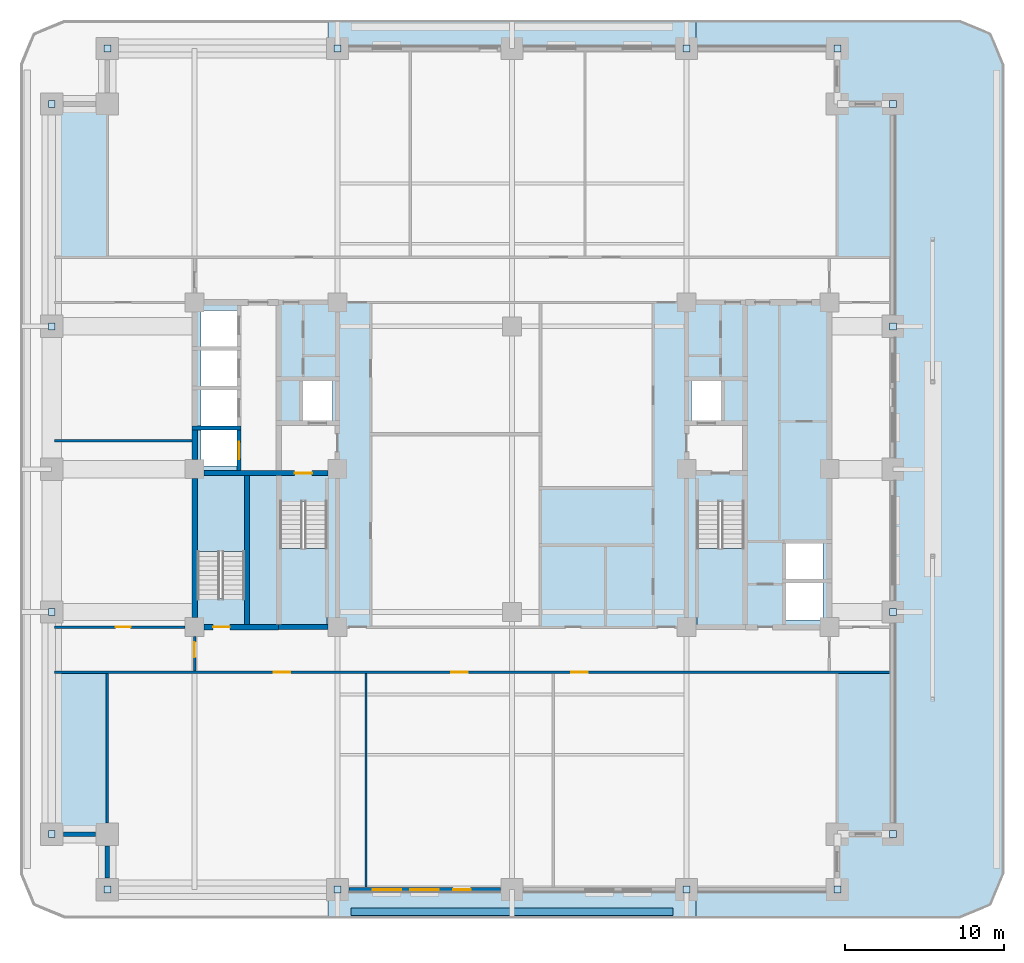
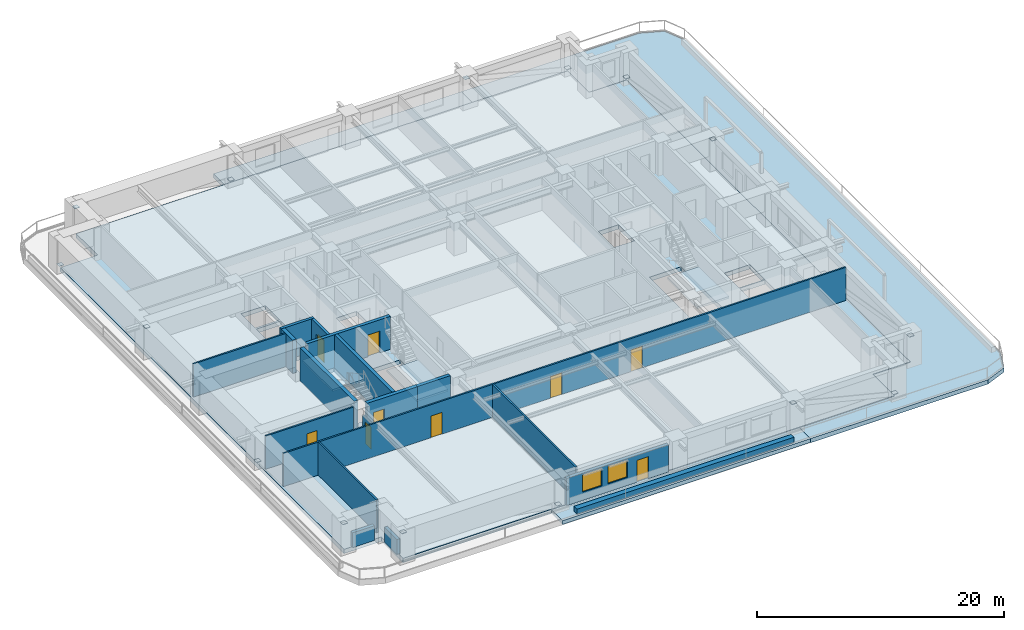
# One storey, part 5 of 18: 18 walls, 16 plates, 9 doors, 7 slabs, 2 windows, 11 openings, 3 elements without a shape of their own.
"""IFC4 building model written with IfcOpenShell, lengths in metres."""

from ifc_helpers import new_model, si_unit, direction, frame, frame_2d, origin, origin_2d, place, context, subcontext, project, spatial, polyline, rectangle, outline, extrude, material, layer, layer_set, type_object, element, fill, aggregate, save


model = new_model("IFC4")

# Units and contexts
model_context = context("Model", 3, precision=1e-05, world=origin(), true_north=direction((0.0, 1.0)))
body_context = subcontext(model_context, "Body", "Model", "MODEL_VIEW")
ifc_project = project(units=[si_unit("LENGTHUNIT", "METRE"), si_unit("AREAUNIT", "SQUARE_METRE"), si_unit("VOLUMEUNIT", "CUBIC_METRE"), si_unit("PLANEANGLEUNIT", "RADIAN"), si_unit("MASSUNIT", "GRAM", prefix="KILO")], contexts=[model_context])

# Site, building, storey
site_placement = place(None, origin())
site = spatial("IfcSite", under=ifc_project, at=site_placement, CompositionType="ELEMENT")
building_placement = place(site_placement, origin())
building = spatial("IfcBuilding", under=site, at=building_placement, Name="Zulmaris Gate Convention Tower", CompositionType="ELEMENT")
storey_placement = place(building_placement, frame((0.0, 0.0, 57.18994140625)))
storey = spatial("IfcBuildingStorey", under=building, at=storey_placement, Name="L13", CompositionType="ELEMENT", Elevation=57.18994140625)

# Plates
ifc_material_1 = material(Name="Steel S460", Category="steel")
ifc_layer_1 = layer(ifc_material_1, 0.02490234375, Name="Steel S460")
ifc_layer_set_1 = layer_set([ifc_layer_1], Name="Steel S460")
plate_type = type_object("IfcPlateType", Name="NP-CAP-440", PredefinedType="USERDEFINED", material=ifc_layer_set_1)
for number, where, z_axis, x_axis, name in (
    (1, (-29.0, -9.0, 0.28759765625), (0.0, 0.0, 1.0), (1.0, 0.0, 0.0), "L13 Steel Node Plate PBR-L13-SW-W-CAP"),
    (2, (-29.0, -23.0, 2.6376953125), (0.0, 0.0, 1.0), (1.0, 0.0, 0.0), "L13 Steel Node Plate PBR-L13-SW-W-CAPB"),
    (3, (-29.0, 23.0, 0.28759765625), (0.0, 0.0, 1.0), (1.0, 0.0, 0.0), "L13 Steel Node Plate PBR-L13-NW-W-CAP"),
    (4, (-29.0, 9.0, 2.6376953125), (0.0, 0.0, 1.0), (1.0, 0.0, 0.0), "L13 Steel Node Plate PBR-L13-NW-W-CAPB"),
    (5, (24.0, -9.0, 0.28759765625), (0.0, 0.0, 1.0), (1.0, 0.0, 0.0), "L13 Steel Node Plate PBR-L13-SE-E-CAP"),
    (6, (24.0, -23.0, 2.6376953125), (0.0, 0.0, 1.0), (1.0, 0.0, 0.0), "L13 Steel Node Plate PBR-L13-SE-E-CAPB"),
    (7, (24.0, 23.0, 0.28759765625), (0.0, 0.0, 1.0), (1.0, 0.0, 0.0), "L13 Steel Node Plate PBR-L13-NE-E-CAP"),
    (8, (24.0, 9.0, 2.6376953125), (0.0, 0.0, 1.0), (1.0, 0.0, 0.0), "L13 Steel Node Plate PBR-L13-NE-E-CAPB"),
    (9, (-11.0, -26.5, 0.28759765625), (0.0, 0.0, 1.0), (1.0, 0.0, 0.0), "L13 Steel Node Plate PBR-L13-SW-S-CAP"),
    (10, (-25.5, -26.5, 2.6376953125), (0.0, 0.0, 1.0), (1.0, 0.0, 0.0), "L13 Steel Node Plate PBR-L13-SW-S-CAPB"),
    (11, (20.5, -26.5, 0.28759765625), (0.0, 0.0, 1.0), (1.0, 0.0, 0.0), "L13 Steel Node Plate PBR-L13-SE-S-CAP"),
    (12, (11.0, -26.5, 2.6376953125), (0.0, 0.0, 1.0), (1.0, 0.0, 0.0), "L13 Steel Node Plate PBR-L13-SE-S-CAPB"),
    (13, (-11.0, 26.5, 0.28759765625), (0.0, 0.0, 1.0), (1.0, 0.0, 0.0), "L13 Steel Node Plate PBR-L13-NW-N-CAP"),
    (14, (-25.5, 26.5, 2.6376953125), (0.0, 0.0, 1.0), (1.0, 0.0, 0.0), "L13 Steel Node Plate PBR-L13-NW-N-CAPB"),
    (15, (20.5, 26.5, 0.28759765625), (0.0, 0.0, 1.0), (1.0, 0.0, 0.0), "L13 Steel Node Plate PBR-L13-NE-N-CAP"),
    (16, (11.0, 26.5, 2.6376953125), (0.0, 0.0, 1.0), (1.0, 0.0, 0.0), "L13 Steel Node Plate PBR-L13-NE-N-CAPB"),
):
    element("IfcPlate", number, at=place(storey_placement, frame(where, z_axis=z_axis, x_axis=x_axis)), inside=storey, type_object=plate_type, Name=name, ObjectType="FLANGE PLATE", PredefinedType="USERDEFINED", context=body_context, shape_type="SweptSolid", body=[
        extrude(rectangle(XDim=0.43994140625, YDim=0.43994140625, at=origin_2d()), origin(), (0.0, 0.0, 1.0), 0.02490234375),
    ])

# Slab
ifc_material_2 = material(Name="Concrete C60/75", Category="concrete")
ifc_layer_2 = layer(ifc_material_2, 0.425048828125, Name="Concrete C60/75")
ifc_layer_set_2 = layer_set([ifc_layer_2], Name="Concrete C60/75")
slab_type_1 = type_object("IfcSlabType", Name="SL-FLR-425", PredefinedType="FLOOR", material=ifc_layer_set_2)
slab_1_placement = place(storey_placement, frame((0.0, 0.0, -0.425048828125)))
element("IfcSlab", 17, at=slab_1_placement, inside=storey, type_object=slab_type_1, Name="L13 Shifted Notched-Square Structural Floor Slab", PredefinedType="FLOOR", context=body_context, shape_type="SweptSolid", body=[
    extrude(outline(polyline([(-25.5, -26.5), (20.5, -26.5), (20.5, -23.0), (24.0, -23.0), (24.0, 23.0), (20.5, 23.0), (20.5, 26.5), (-25.5, 26.5), (-25.5, 23.0), (-29.0, 23.0), (-29.0, -23.0), (-25.5, -23.0), (-25.5, -26.5)]), holes=[polyline([(-14.6201171875, -2.080078125), (-14.6201171875, -9.85009765625), (-11.659912109375, -9.85009765625), (-11.659912109375, -2.080078125), (-14.6201171875, -2.080078125)]), polyline([(11.659912109375, -2.080078125), (11.659912109375, -9.85009765625), (14.6201171875, -9.85009765625), (14.6201171875, -2.080078125), (11.659912109375, -2.080078125)]), polyline([(-16.860107421875, -8.1201171875), (-16.860107421875, -0.35009765625), (-19.820068359375, -0.35009765625), (-19.820068359375, -8.1201171875), (-16.860107421875, -8.1201171875)]), polyline([(-13.199951171875, 3.0), (-11.300048828125, 3.0), (-11.300048828125, 5.60009765625), (-13.199951171875, 5.60009765625), (-13.199951171875, 3.0)]), polyline([(11.300048828125, 3.0), (13.199951171875, 3.0), (13.199951171875, 5.60009765625), (11.300048828125, 5.60009765625), (11.300048828125, 3.0)]), polyline([(-19.60009765625, 0.199951171875), (-17.300048828125, 0.199951171875), (-17.300048828125, 2.5), (-19.60009765625, 2.5), (-19.60009765625, 0.199951171875)]), polyline([(-19.60009765625, 2.699951171875), (-17.300048828125, 2.699951171875), (-17.300048828125, 5.0), (-19.60009765625, 5.0), (-19.60009765625, 2.699951171875)]), polyline([(-19.60009765625, 5.199951171875), (-17.300048828125, 5.199951171875), (-17.300048828125, 7.5), (-19.60009765625, 7.5), (-19.60009765625, 5.199951171875)]), polyline([(-19.60009765625, 7.699951171875), (-17.300048828125, 7.699951171875), (-17.300048828125, 10.0), (-19.60009765625, 10.0), (-19.60009765625, 7.699951171875)]), polyline([(17.199951171875, -9.5), (19.60009765625, -9.5), (19.60009765625, -7.10009765625), (17.199951171875, -7.10009765625), (17.199951171875, -9.5)]), polyline([(17.199951171875, -7.0), (19.60009765625, -7.0), (19.60009765625, -4.60009765625), (17.199951171875, -4.60009765625), (17.199951171875, -7.0)])]), origin(), (0.0, 0.0, 1.0), 0.425048828125),
])

# Stair, slab
ifc_material_3 = material(Name="Concrete C45/55", Category="concrete")
stair_type = type_object("IfcStairType", Name="ST-CORE-DOGLEG", PredefinedType="HALF_TURN_STAIR", material=ifc_material_3)
stair_1_placement = place(storey_placement, origin())
stair_1 = element("IfcStair", 18, at=stair_1_placement, inside=storey, type_object=stair_type, Name="L13 Core Exit Stair ST-1", PredefinedType="HALF_TURN_STAIR")
ifc_layer_3 = layer(ifc_material_3, 0.199951171875, Name="Concrete C45/55")
ifc_layer_set_3 = layer_set([ifc_layer_3], Name="Concrete C45/55")
slab_type_2 = type_object("IfcSlabType", Name="SL-LND-200", PredefinedType="LANDING", material=ifc_layer_set_3)
slab_2_placement = place(storey_placement, frame((0.0, 0.0, 1.5849609375)))
slab_2 = element("IfcSlab", 19, at=slab_2_placement, type_object=slab_type_2, Name="ST-1 landing 1", PredefinedType="LANDING", context=body_context, shape_type="SweptSolid", body=[
    extrude(outline(polyline([(-14.6201171875, -5.0), (-14.6201171875, -9.85009765625), (-11.659912109375, -9.85009765625), (-11.659912109375, -5.0), (-14.6201171875, -5.0)])), origin(), (0.0, 0.0, 1.0), 0.199951171875),
])
aggregate(stair_1, [slab_2])

stair_2_placement = place(storey_placement, origin())
stair_2 = element("IfcStair", 20, at=stair_2_placement, inside=storey, type_object=stair_type, Name="L13 Core Exit Stair ST-2", PredefinedType="HALF_TURN_STAIR")
slab_3_placement = place(storey_placement, frame((0.0, 0.0, 1.5849609375)))
slab_3 = element("IfcSlab", 21, at=slab_3_placement, type_object=slab_type_2, Name="ST-2 landing 1", PredefinedType="LANDING", context=body_context, shape_type="SweptSolid", body=[
    extrude(outline(polyline([(11.659912109375, -5.0), (11.659912109375, -9.85009765625), (14.6201171875, -9.85009765625), (14.6201171875, -5.0), (11.659912109375, -5.0)])), origin(), (0.0, 0.0, 1.0), 0.199951171875),
])
aggregate(stair_2, [slab_3])

stair_3_placement = place(storey_placement, origin())
stair_3 = element("IfcStair", 22, at=stair_3_placement, inside=storey, type_object=stair_type, Name="L13 Core Exit Stair ST-3", PredefinedType="HALF_TURN_STAIR")
slab_4_placement = place(storey_placement, frame((0.0, 0.0, 1.5849609375)))
slab_4 = element("IfcSlab", 23, at=slab_4_placement, type_object=slab_type_2, Name="ST-3 landing 1", PredefinedType="LANDING", context=body_context, shape_type="SweptSolid", body=[
    extrude(outline(polyline([(-16.860107421875, -5.199951171875), (-16.860107421875, -0.35009765625), (-19.820068359375, -0.35009765625), (-19.820068359375, -5.199951171875), (-16.860107421875, -5.199951171875)])), origin(), (0.0, 0.0, 1.0), 0.199951171875),
])
aggregate(stair_3, [slab_4])

# Slabs
ifc_material_4 = material(Name="Concrete C50/60", Category="concrete")
ifc_layer_4 = layer(ifc_material_4, 0.300048828125, Name="Concrete C50/60")
ifc_layer_set_4 = layer_set([ifc_layer_4], Name="Concrete C50/60")
slab_type_3 = type_object("IfcSlabType", Name="SL-SG-300", PredefinedType="FLOOR", material=ifc_layer_set_4)
slab_5_placement = place(storey_placement, frame((0.0, 0.0, -0.425048828125)))
element("IfcSlab", 24, at=slab_5_placement, inside=storey, type_object=slab_type_3, Name="L13 South Tree-Balcony Planter Slab", PredefinedType="FLOOR", context=body_context, shape_type="SweptSolid", body=[
    extrude(outline(polyline([(-11.597900390625, -28.300048828125), (-11.597900390625, -26.5), (11.597900390625, -26.5), (11.597900390625, -28.300048828125), (-11.597900390625, -28.300048828125)])), origin(), (0.0, 0.0, 1.0), 0.385009765625),
])
slab_6_placement = place(storey_placement, frame((0.0, 0.0, -0.425048828125)))
element("IfcSlab", 25, at=slab_6_placement, inside=storey, type_object=slab_type_3, Name="L13 North Tree-Balcony Planter Slab", PredefinedType="FLOOR", context=body_context, shape_type="SweptSolid", body=[
    extrude(outline(polyline([(11.597900390625, 28.300048828125), (11.597900390625, 26.5), (-11.597900390625, 26.5), (-11.597900390625, 28.300048828125), (11.597900390625, 28.300048828125)])), origin(), (0.0, 0.0, 1.0), 0.385009765625),
])
ifc_layer_5 = layer(ifc_material_4, 0.419921875, Name="Concrete C50/60")
ifc_layer_set_5 = layer_set([ifc_layer_5], Name="Concrete C50/60")
slab_type_4 = type_object("IfcSlabType", Name="SL-SG-420", PredefinedType="FLOOR", material=ifc_layer_set_5)
slab_7_placement = place(storey_placement, frame((0.0, 0.0, -0.4599609375)))
element("IfcSlab", 26, at=slab_7_placement, inside=storey, type_object=slab_type_4, Name="L13 East Block-End Planted Roof Terrace Slab", PredefinedType="FLOOR", context=body_context, shape_type="SweptSolid", body=[
    extrude(outline(polyline([(28.199951171875, 28.300048828125), (30.179931640625, 27.47998046875), (31.0, 25.5), (31.0, -25.5), (30.179931640625, -27.47998046875), (28.199951171875, -28.300048828125), (11.60205078125, -28.300048828125), (11.60205078125, -26.5), (20.5, -26.5), (20.5, -23.0), (24.0, -23.0), (24.0, 23.0), (20.5, 23.0), (20.5, 26.5), (11.60205078125, 26.5), (11.60205078125, 28.300048828125), (28.199951171875, 28.300048828125)])), origin(), (0.0, 0.0, 1.0), 0.419921875),
])

# Wall
ifc_layer_6 = layer(ifc_material_4, 0.25, Name="Concrete C50/60")
ifc_layer_set_6 = layer_set([ifc_layer_6], Name="Concrete C50/60")
wall_type_1 = type_object("IfcWallType", Name="CORE-250", PredefinedType="SOLIDWALL", material=ifc_layer_set_6)
wall_1_placement = place(storey_placement, frame((-20.175048828125, 2.60009765625, 0.0), z_axis=(0.0, 0.0, 1.0), x_axis=(1.0, 0.0, 0.0)))
element("IfcWall", 27, at=wall_1_placement, inside=storey, type_object=wall_type_1, Name="WL-L13-009", PredefinedType="SOLIDWALL", context=body_context, shape_type="SweptSolid", body=[
    extrude(rectangle(XDim=3.10009765625, YDim=0.25, at=frame_2d((1.550048828125, 0.0))), origin(), (0.0, 0.0, 1.0), 3.27001953125),
])

# Wall, opening, door
wall_2_placement = place(storey_placement, frame((-17.199951171875, -0.097900390625, 0.0), z_axis=(0.0, 0.0, 1.0), x_axis=(0.0, 1.0, 0.0)))
wall_2 = element("IfcWall", 28, at=wall_2_placement, inside=storey, type_object=wall_type_1, Name="WL-L13-042", PredefinedType="SOLIDWALL", context=body_context, shape_type="SweptSolid", body=[
    extrude(rectangle(XDim=2.57080078125, YDim=0.25, at=frame_2d((1.285400390625, 0.0))), origin(), (0.0, 0.0, 1.0), 3.27001953125),
])
opening_1_placement = place(wall_2_placement, frame((0.722900390625, 0.0, 0.0)))
opening_1 = element("IfcOpeningElement", 29, at=opening_1_placement, cuts=wall_2, Name="Opening D-06", PredefinedType="OPENING", context=body_context, shape_type="SweptSolid", body=[
    extrude(rectangle(XDim=1.10009765625, YDim=2.199951171875, at=frame_2d((0.550048828125, 1.10009765625))), frame((0.0, 0.135009765625, 0.0), z_axis=(0.0, -1.0, 0.0), x_axis=(1.0, 0.0, 0.0)), (0.0, 0.0, 1.0), 0.27001953125),
])
ifc_material_5 = material(Name="Brushed Stainless Steel", Category="steel")
door_type_1 = type_object("IfcDoorType", Name="LD-1100", OperationType="NOTDEFINED", PredefinedType="DOOR", material=ifc_material_5)
door_1_placement = place(opening_1_placement, origin())
door_1 = element("IfcDoor", 30, at=door_1_placement, inside=storey, type_object=door_type_1, Name="L13 Lift Landing Door LP-01 15", OperationType="SLIDING_TO_LEFT", OverallHeight=2.199951171875, OverallWidth=1.10009765625, PredefinedType="DOOR", context=body_context, shape_type="SweptSolid", body=[
    extrude(rectangle(XDim=1.10009765625, YDim=2.199951171875, at=frame_2d((0.550048828125, 1.10009765625))), frame((0.0, 0.02490234375, 0.0), z_axis=(0.0, -1.0, 0.0), x_axis=(1.0, 0.0, 0.0)), (0.0, 0.0, 1.0), 0.050048828125),
])
fill(opening_1, door_1)

# Wall
ifc_layer_7 = layer(ifc_material_4, 0.300048828125, Name="Concrete C50/60")
ifc_layer_set_7 = layer_set([ifc_layer_7], Name="Concrete C50/60")
wall_type_2 = type_object("IfcWallType", Name="CORE-300", PredefinedType="SHEAR", material=ifc_layer_set_7)
wall_3_placement = place(storey_placement, frame((-14.699951171875, -9.949951171875, 0.0), z_axis=(0.0, 0.0, 1.0), x_axis=(1.0, 0.0, 0.0)))
element("IfcWall", 31, at=wall_3_placement, inside=storey, type_object=wall_type_2, Name="WL-L13-002", PredefinedType="SHEAR", context=body_context, shape_type="SweptSolid", body=[
    extrude(rectangle(XDim=3.095947265625, YDim=0.300048828125, at=frame_2d((1.5478515625, 0.0))), origin(), (0.0, 0.0, 1.0), 3.27001953125),
])

# Wall, opening, door
wall_4_placement = place(storey_placement, frame((-19.39599609375, -0.25, 0.0), z_axis=(0.0, 0.0, 1.0), x_axis=(1.0, 0.0, 0.0)))
wall_4 = element("IfcWall", 32, at=wall_4_placement, inside=storey, type_object=wall_type_2, Name="WL-L13-007", PredefinedType="SHEAR", context=body_context, shape_type="SweptSolid", body=[
    extrude(rectangle(XDim=7.7919921875, YDim=0.300048828125, at=frame_2d((3.89599609375, 0.0))), origin(), (0.0, 0.0, 1.0), 3.27001953125),
])
opening_2_placement = place(wall_4_placement, frame((5.696044921875, 0.0, 0.0)))
opening_2 = element("IfcOpeningElement", 33, at=opening_2_placement, cuts=wall_4, Name="Opening D-08", PredefinedType="OPENING", context=body_context, shape_type="SweptSolid", body=[
    extrude(rectangle(XDim=1.10009765625, YDim=2.14990234375, at=frame_2d((0.550048828125, 1.074951171875))), frame((0.0, 0.16015625, 0.0), z_axis=(0.0, -1.0, 0.0), x_axis=(1.0, 0.0, 0.0)), (0.0, 0.0, 1.0), 0.320068359375),
])
ifc_material_6 = material(Name="Fire-Rated Steel", Category="steel")
door_type_2 = type_object("IfcDoorType", Name="DR-1100-FD", OperationType="NOTDEFINED", PredefinedType="DOOR", material=ifc_material_6)
door_2_placement = place(opening_2_placement, origin())
door_2 = element("IfcDoor", 34, at=door_2_placement, inside=storey, type_object=door_type_2, Name="L13 Exit Stair ST-1 Door 01", OperationType="SINGLE_SWING_LEFT", OverallHeight=2.14990234375, OverallWidth=1.10009765625, PredefinedType="DOOR", context=body_context, shape_type="SweptSolid", body=[
    extrude(rectangle(XDim=1.10009765625, YDim=2.14990234375, at=frame_2d((0.550048828125, 1.074951171875))), frame((0.0, 0.02490234375, 0.0), z_axis=(0.0, -1.0, 0.0), x_axis=(1.0, 0.0, 0.0)), (0.0, 0.0, 1.0), 0.050048828125),
])
fill(opening_2, door_2)

# Wall
wall_5_placement = place(storey_placement, frame((-16.699951171875, -9.77294921875, 0.0), z_axis=(0.0, 0.0, 1.0), x_axis=(0.0, 1.0, 0.0)))
element("IfcWall", 35, at=wall_5_placement, inside=storey, type_object=wall_type_2, Name="WL-L13-046", PredefinedType="SHEAR", context=body_context, shape_type="SweptSolid", body=[
    extrude(rectangle(XDim=9.370849609375, YDim=0.300048828125, at=frame_2d((4.685546875, 0.0))), origin(), (0.0, 0.0, 1.0), 3.27001953125),
])

# Wall, opening, door
ifc_material_7 = material(Name="Concrete C55/67", Category="concrete")
ifc_layer_8 = layer(ifc_material_7, 0.35009765625, Name="Concrete C55/67")
ifc_layer_set_8 = layer_set([ifc_layer_8], Name="Concrete C55/67")
wall_type_3 = type_object("IfcWallType", Name="CORE-350", PredefinedType="SHEAR", material=ifc_layer_set_8)
wall_6_placement = place(storey_placement, frame((-19.39599609375, -9.949951171875, 0.0), z_axis=(0.0, 0.0, 1.0), x_axis=(1.0, 0.0, 0.0)))
wall_6 = element("IfcWall", 36, at=wall_6_placement, inside=storey, type_object=wall_type_3, Name="WL-L13-001", PredefinedType="SHEAR", context=body_context, shape_type="SweptSolid", body=[
    extrude(rectangle(XDim=4.696044921875, YDim=0.35009765625, at=frame_2d((2.34814453125, 0.0))), origin(), (0.0, 0.0, 1.0), 3.27001953125),
])
opening_3_placement = place(wall_6_placement, frame((0.571044921875, 0.0, 0.0)))
opening_3 = element("IfcOpeningElement", 37, at=opening_3_placement, cuts=wall_6, Name="Opening D-09", PredefinedType="OPENING", context=body_context, shape_type="SweptSolid", body=[
    extrude(rectangle(XDim=1.050048828125, YDim=2.14990234375, at=frame_2d((0.52490234375, 1.074951171875))), frame((0.0, 0.18505859375, 0.0), z_axis=(0.0, -1.0, 0.0), x_axis=(1.0, 0.0, 0.0)), (0.0, 0.0, 1.0), 0.3701171875),
])
door_type_3 = type_object("IfcDoorType", Name="DR-1050-FD", OperationType="NOTDEFINED", PredefinedType="DOOR", material=ifc_material_6)
door_3_placement = place(opening_3_placement, origin())
door_3 = element("IfcDoor", 38, at=door_3_placement, inside=storey, type_object=door_type_3, Name="L13 Exit Stair ST-3 Door 13", OperationType="SINGLE_SWING_LEFT", OverallHeight=2.14990234375, OverallWidth=1.050048828125, PredefinedType="DOOR", context=body_context, shape_type="SweptSolid", body=[
    extrude(rectangle(XDim=1.050048828125, YDim=2.14990234375, at=frame_2d((0.52490234375, 1.074951171875))), frame((0.0, 0.02490234375, 0.0), z_axis=(0.0, -1.0, 0.0), x_axis=(1.0, 0.0, 0.0)), (0.0, 0.0, 1.0), 0.050048828125),
])
fill(opening_3, door_3)

# Walls
wall_7_placement = place(storey_placement, frame((-20.0, -9.345947265625, 0.0), z_axis=(0.0, 0.0, 1.0), x_axis=(0.0, 1.0, 0.0)))
element("IfcWall", 39, at=wall_7_placement, inside=storey, type_object=wall_type_3, Name="WL-L13-037", PredefinedType="SHEAR", context=body_context, shape_type="SweptSolid", body=[
    extrude(rectangle(XDim=8.741943359375, YDim=0.35009765625, at=frame_2d((4.37109375, 0.0))), origin(), (0.0, 0.0, 1.0), 3.27001953125),
])
wall_8_placement = place(storey_placement, frame((-20.0, 0.60400390625, 0.0), z_axis=(0.0, 0.0, 1.0), x_axis=(0.0, 1.0, 0.0)))
element("IfcWall", 40, at=wall_8_placement, inside=storey, type_object=wall_type_3, Name="WL-L13-038", PredefinedType="SHEAR", context=body_context, shape_type="SweptSolid", body=[
    extrude(rectangle(XDim=1.868896484375, YDim=0.35009765625, at=frame_2d((0.9345703125, 0.0))), origin(), (0.0, 0.0, 1.0), 3.27001953125),
])

# Wall, openings, doors
ifc_material_8 = material(Name="Gypsum Metal Stud Partition")
ifc_layer_9 = layer(ifc_material_8, 0.14990234375, Name="Gypsum Metal Stud Partition")
ifc_layer_set_9 = layer_set([ifc_layer_9], Name="Gypsum Metal Stud Partition")
wall_type_4 = type_object("IfcWallType", Name="PART-150", PredefinedType="PARTITIONING", material=ifc_layer_set_9)
wall_9_placement = place(storey_placement, frame((-28.8349609375, -12.800048828125, 0.0), z_axis=(0.0, 0.0, 1.0), x_axis=(1.0, 0.0, 0.0)))
wall_9 = element("IfcWall", 41, at=wall_9_placement, inside=storey, type_object=wall_type_4, Name="WL-L13-020", PredefinedType="PARTITIONING", context=body_context, shape_type="SweptSolid", body=[
    extrude(rectangle(XDim=52.669921875, YDim=0.14990234375, at=frame_2d((26.3349609375, 0.0))), origin(), (0.0, 0.0, 1.0), 3.27001953125),
])
opening_4_placement = place(wall_9_placement, frame((13.81005859375, 0.0, 0.0)))
opening_4 = element("IfcOpeningElement", 42, at=opening_4_placement, cuts=wall_9, Name="Opening D-09", PredefinedType="OPENING", context=body_context, shape_type="SweptSolid", body=[
    extrude(rectangle(XDim=1.050048828125, YDim=2.14990234375, at=frame_2d((0.52490234375, 1.074951171875))), frame((0.0, 0.0849609375, 0.0), z_axis=(0.0, -1.0, 0.0), x_axis=(1.0, 0.0, 0.0)), (0.0, 0.0, 1.0), 0.169921875),
])
opening_5_placement = place(wall_9_placement, frame((25.010009765625, 0.0, 0.0)))
opening_5 = element("IfcOpeningElement", 43, at=opening_5_placement, cuts=wall_9, Name="Opening D-09", PredefinedType="OPENING", context=body_context, shape_type="SweptSolid", body=[
    extrude(rectangle(XDim=1.050048828125, YDim=2.14990234375, at=frame_2d((0.52490234375, 1.074951171875))), frame((0.0, 0.0849609375, 0.0), z_axis=(0.0, -1.0, 0.0), x_axis=(1.0, 0.0, 0.0)), (0.0, 0.0, 1.0), 0.169921875),
])
opening_6_placement = place(wall_9_placement, frame((32.56005859375, 0.0, 0.0)))
opening_6 = element("IfcOpeningElement", 44, at=opening_6_placement, cuts=wall_9, Name="Opening D-09", PredefinedType="OPENING", context=body_context, shape_type="SweptSolid", body=[
    extrude(rectangle(XDim=1.050048828125, YDim=2.14990234375, at=frame_2d((0.52490234375, 1.074951171875))), frame((0.0, 0.0849609375, 0.0), z_axis=(0.0, -1.0, 0.0), x_axis=(1.0, 0.0, 0.0)), (0.0, 0.0, 1.0), 0.169921875),
])
door_4_placement = place(opening_4_placement, origin())
door_4 = element("IfcDoor", 45, at=door_4_placement, inside=storey, type_object=door_type_3, Name="L13 Executive Boardroom Door 31", OperationType="SINGLE_SWING_LEFT", OverallHeight=2.14990234375, OverallWidth=1.050048828125, PredefinedType="DOOR", context=body_context, shape_type="SweptSolid", body=[
    extrude(rectangle(XDim=1.050048828125, YDim=2.14990234375, at=frame_2d((0.52490234375, 1.074951171875))), frame((0.0, 0.02490234375, 0.0), z_axis=(0.0, -1.0, 0.0), x_axis=(1.0, 0.0, 0.0)), (0.0, 0.0, 1.0), 0.050048828125),
])
fill(opening_4, door_4)
door_5_placement = place(opening_5_placement, origin())
door_5 = element("IfcDoor", 46, at=door_5_placement, inside=storey, type_object=door_type_3, Name="L13 Corporate Strategy Office Door 32", OperationType="SINGLE_SWING_RIGHT", OverallHeight=2.14990234375, OverallWidth=1.050048828125, PredefinedType="DOOR", context=body_context, shape_type="SweptSolid", body=[
    extrude(rectangle(XDim=1.050048828125, YDim=2.14990234375, at=frame_2d((0.52490234375, 1.074951171875))), frame((0.0, 0.02490234375, 0.0), z_axis=(0.0, -1.0, 0.0), x_axis=(1.0, 0.0, 0.0)), (0.0, 0.0, 1.0), 0.050048828125),
])
fill(opening_5, door_5)
door_6_placement = place(opening_6_placement, origin())
door_6 = element("IfcDoor", 47, at=door_6_placement, inside=storey, type_object=door_type_3, Name="L13 Project Advisory Studio Door 33", OperationType="SINGLE_SWING_LEFT", OverallHeight=2.14990234375, OverallWidth=1.050048828125, PredefinedType="DOOR", context=body_context, shape_type="SweptSolid", body=[
    extrude(rectangle(XDim=1.050048828125, YDim=2.14990234375, at=frame_2d((0.52490234375, 1.074951171875))), frame((0.0, 0.02490234375, 0.0), z_axis=(0.0, -1.0, 0.0), x_axis=(1.0, 0.0, 0.0)), (0.0, 0.0, 1.0), 0.050048828125),
])
fill(opening_6, door_6)

# Wall, opening, door
wall_10_placement = place(storey_placement, frame((-28.8349609375, -9.949951171875, 0.0), z_axis=(0.0, 0.0, 1.0), x_axis=(1.0, 0.0, 0.0)))
wall_10 = element("IfcWall", 48, at=wall_10_placement, inside=storey, type_object=wall_type_4, Name="WL-L13-021", PredefinedType="PARTITIONING", context=body_context, shape_type="SweptSolid", body=[
    extrude(rectangle(XDim=8.22900390625, YDim=0.14990234375, at=frame_2d((4.114501953125, 0.0))), origin(), (0.0, 0.0, 1.0), 3.27001953125),
])
opening_7_placement = place(wall_10_placement, frame((3.860107421875, 0.0, 0.0)))
opening_7 = element("IfcOpeningElement", 49, at=opening_7_placement, cuts=wall_10, Name="Opening D-11", PredefinedType="OPENING", context=body_context, shape_type="SweptSolid", body=[
    extrude(rectangle(XDim=0.949951171875, YDim=2.14990234375, at=frame_2d((0.47509765625, 1.074951171875))), frame((0.0, 0.0849609375, 0.0), z_axis=(0.0, -1.0, 0.0), x_axis=(1.0, 0.0, 0.0)), (0.0, 0.0, 1.0), 0.169921875),
])
ifc_material_9 = material(Name="Fire-Rated Timber", Category="wood")
door_type_4 = type_object("IfcDoorType", Name="DR-950-FD", OperationType="NOTDEFINED", PredefinedType="DOOR", material=ifc_material_9)
door_7_placement = place(opening_7_placement, origin())
door_7 = element("IfcDoor", 50, at=door_7_placement, inside=storey, type_object=door_type_4, Name="L13 SW Partner Door 43", OperationType="SINGLE_SWING_LEFT", OverallHeight=2.14990234375, OverallWidth=0.949951171875, PredefinedType="DOOR", context=body_context, shape_type="SweptSolid", body=[
    extrude(rectangle(XDim=0.949951171875, YDim=2.14990234375, at=frame_2d((0.47509765625, 1.074951171875))), frame((0.0, 0.02490234375, 0.0), z_axis=(0.0, -1.0, 0.0), x_axis=(1.0, 0.0, 0.0)), (0.0, 0.0, 1.0), 0.050048828125),
])
fill(opening_7, door_7)

# Walls
wall_11_placement = place(storey_placement, frame((-28.8349609375, 1.800048828125, 0.0), z_axis=(0.0, 0.0, 1.0), x_axis=(1.0, 0.0, 0.0)))
element("IfcWall", 51, at=wall_11_placement, inside=storey, type_object=wall_type_4, Name="WL-L13-028", PredefinedType="PARTITIONING", context=body_context, shape_type="SweptSolid", body=[
    extrude(rectangle(XDim=8.656982421875, YDim=0.14990234375, at=frame_2d((4.32861328125, 0.0))), origin(), (0.0, 0.0, 1.0), 3.27001953125),
])
wall_12_placement = place(storey_placement, frame((-25.5, -22.2939453125, 0.0), z_axis=(0.0, 0.0, 1.0), x_axis=(0.0, 1.0, 0.0)))
element("IfcWall", 52, at=wall_12_placement, inside=storey, type_object=wall_type_4, Name="WL-L13-072", PredefinedType="PARTITIONING", context=body_context, shape_type="SweptSolid", body=[
    extrude(rectangle(XDim=9.416015625, YDim=0.14990234375, at=frame_2d((4.7080078125, 0.0))), origin(), (0.0, 0.0, 1.0), 3.27001953125),
])

# Wall, opening, door
wall_13_placement = place(storey_placement, frame((-20.0, -12.721923828125, 0.0), z_axis=(0.0, 0.0, 1.0), x_axis=(0.0, 1.0, 0.0)))
wall_13 = element("IfcWall", 53, at=wall_13_placement, inside=storey, type_object=wall_type_4, Name="WL-L13-074", PredefinedType="PARTITIONING", context=body_context, shape_type="SweptSolid", body=[
    extrude(rectangle(XDim=2.166015625, YDim=0.14990234375, at=frame_2d((1.0830078125, 0.0))), origin(), (0.0, 0.0, 1.0), 2.610107421875),
])
opening_8_placement = place(wall_13_placement, frame((0.866943359375, 0.0, 0.0)))
opening_8 = element("IfcOpeningElement", 54, at=opening_8_placement, cuts=wall_13, Name="Opening D-11", PredefinedType="OPENING", context=body_context, shape_type="SweptSolid", body=[
    extrude(rectangle(XDim=0.949951171875, YDim=2.14990234375, at=frame_2d((0.47509765625, 1.074951171875))), frame((0.0, 0.0849609375, 0.0), z_axis=(0.0, -1.0, 0.0), x_axis=(1.0, 0.0, 0.0)), (0.0, 0.0, 1.0), 0.169921875),
])
door_8_placement = place(opening_8_placement, origin())
door_8 = element("IfcDoor", 55, at=door_8_placement, inside=storey, type_object=door_type_4, Name="L13 SW Spur Door 41", OperationType="SINGLE_SWING_LEFT", OverallHeight=2.14990234375, OverallWidth=0.949951171875, PredefinedType="DOOR", context=body_context, shape_type="SweptSolid", body=[
    extrude(rectangle(XDim=0.949951171875, YDim=2.14990234375, at=frame_2d((0.47509765625, 1.074951171875))), frame((0.0, 0.02490234375, 0.0), z_axis=(0.0, -1.0, 0.0), x_axis=(1.0, 0.0, 0.0)), (0.0, 0.0, 1.0), 0.050048828125),
])
fill(opening_8, door_8)

# Walls
wall_14_placement = place(storey_placement, frame((-9.199951171875, -26.3349609375, 0.0), z_axis=(0.0, 0.0, 1.0), x_axis=(0.0, 1.0, 0.0)))
element("IfcWall", 56, at=wall_14_placement, inside=storey, type_object=wall_type_4, Name="WL-L13-078", PredefinedType="PARTITIONING", context=body_context, shape_type="SweptSolid", body=[
    extrude(rectangle(XDim=13.45703125, YDim=0.14990234375, at=frame_2d((6.728515625, 0.0))), origin(), (0.0, 0.0, 1.0), 3.27001953125),
])
ifc_material_10 = material(Name="Botanical Green Glazed Precast Concrete C40/50", Category="concrete")
ifc_layer_10 = layer(ifc_material_10, 0.419921875, Name="Botanical Green Glazed Precast Concrete C40/50")
ifc_layer_set_10 = layer_set([ifc_layer_10], Name="Botanical Green Glazed Precast Concrete C40/50")
wall_type_5 = type_object("IfcWallType", Name="PLANTER-CURB-200", PredefinedType="PARAPET", material=ifc_layer_set_10)
wall_15_placement = place(storey_placement, frame((-10.14990234375, -27.8798828125, -0.0400390625), z_axis=(0.0, 0.0, 1.0), x_axis=(1.0, 0.0, 0.0)))
element("IfcWall", 57, at=wall_15_placement, inside=storey, type_object=wall_type_5, Name="L13 Full-Length Balcony Tree Planter Trough", PredefinedType="PARAPET", context=body_context, shape_type="SweptSolid", body=[
    extrude(rectangle(XDim=20.2998046875, YDim=0.47998046875, at=frame_2d((10.14990234375, 0.0))), origin(), (0.0, 0.0, 1.0), 0.52001953125),
])
ifc_material_11 = material(Name="Precast concrete C40/50", Category="concrete")
ifc_layer_11 = layer(ifc_material_11, 0.300048828125, Name="Precast concrete C40/50")
ifc_layer_set_11 = layer_set([ifc_layer_11], Name="Precast concrete C40/50")
wall_type_6 = type_object("IfcWallType", Name="PRECAST-PIER-300", PredefinedType="STANDARD", material=ifc_layer_set_11)
for number, where, z_axis, x_axis, name in (
    (58, (-28.27001953125, -23.0, 0.0), (0.0, 0.0, 1.0), (1.0, 0.0, 0.0), "EW-L13-NOTCH-SW1_0"),
    (59, (-25.5, -23.72998046875, 0.0), (0.0, 0.0, 1.0), (0.0, -1.0, 0.0), "EW-L13-NOTCH-SW2_0"),
):
    element("IfcWall", number, at=place(storey_placement, frame(where, z_axis=z_axis, x_axis=x_axis)), inside=storey, type_object=wall_type_6, Name=name, PredefinedType="STANDARD", context=body_context, shape_type="SweptSolid", body=[
        extrude(rectangle(XDim=2.0400390625, YDim=0.300048828125, at=frame_2d((1.02001953125, 0.0))), origin(), (0.0, 0.0, 1.0), 1.462158203125),
    ])

# Wall, openings, door, windows
wall_16_placement = place(storey_placement, frame((-10.27001953125, -26.5, 0.0), z_axis=(0.0, 0.0, 1.0), x_axis=(1.0, 0.0, 0.0)))
wall_16 = element("IfcWall", 60, at=wall_16_placement, inside=storey, type_object=wall_type_6, Name="EW-L13-S-1_0", PredefinedType="STANDARD", context=body_context, shape_type="SweptSolid", body=[
    extrude(rectangle(XDim=9.5400390625, YDim=0.300048828125, at=frame_2d((4.77001953125, 0.0))), origin(), (0.0, 0.0, 1.0), 2.662109375),
])
opening_9_placement = place(wall_16_placement, frame((6.56494140625, 0.0, 0.0)))
opening_9 = element("IfcOpeningElement", 61, at=opening_9_placement, cuts=wall_16, Name="Opening D-04", PredefinedType="OPENING", context=body_context, shape_type="SweptSolid", body=[
    extrude(rectangle(XDim=1.10009765625, YDim=2.14990234375, at=frame_2d((0.550048828125, 1.074951171875))), frame((0.0, 0.16015625, 0.0), z_axis=(0.0, -1.0, 0.0), x_axis=(1.0, 0.0, 0.0)), (0.0, 0.0, 1.0), 0.320068359375),
])
opening_10_placement = place(wall_16_placement, frame((1.485107421875, 0.0, 0.780029296875)))
opening_10 = element("IfcOpeningElement", 62, at=opening_10_placement, cuts=wall_16, Name="Opening W-02", PredefinedType="OPENING", context=body_context, shape_type="SweptSolid", body=[
    extrude(rectangle(XDim=1.800048828125, YDim=1.719970703125, at=frame_2d((0.89990234375, 0.85986328125))), frame((0.0, 0.16015625, 0.0), z_axis=(0.0, -1.0, 0.0), x_axis=(1.0, 0.0, 0.0)), (0.0, 0.0, 1.0), 0.320068359375),
])
opening_11_placement = place(wall_16_placement, frame((3.8701171875, 0.0, 0.780029296875)))
opening_11 = element("IfcOpeningElement", 63, at=opening_11_placement, cuts=wall_16, Name="Opening W-02", PredefinedType="OPENING", context=body_context, shape_type="SweptSolid", body=[
    extrude(rectangle(XDim=1.800048828125, YDim=1.719970703125, at=frame_2d((0.89990234375, 0.85986328125))), frame((0.0, 0.16015625, 0.0), z_axis=(0.0, -1.0, 0.0), x_axis=(1.0, 0.0, 0.0)), (0.0, 0.0, 1.0), 0.320068359375),
])
ifc_material_12 = material(Name="Anodised Aluminium and Laminated Glass", Category="aluminium")
door_type_5 = type_object("IfcDoorType", Name="ED-1100", OperationType="SINGLE_SWING_RIGHT", PredefinedType="DOOR", material=ifc_material_12)
door_9_placement = place(opening_9_placement, origin())
door_9 = element("IfcDoor", 64, at=door_9_placement, inside=storey, type_object=door_type_5, Name="L13 S Planted Terrace Door", OperationType="SINGLE_SWING_RIGHT", OverallHeight=2.14990234375, OverallWidth=1.10009765625, PredefinedType="DOOR", context=body_context, shape_type="SweptSolid", body=[
    extrude(rectangle(XDim=1.10009765625, YDim=2.14990234375, at=frame_2d((0.550048828125, 1.074951171875))), frame((0.0, 0.02490234375, 0.0), z_axis=(0.0, -1.0, 0.0), x_axis=(1.0, 0.0, 0.0)), (0.0, 0.0, 1.0), 0.050048828125),
])
fill(opening_9, door_9)
ifc_material_13 = material(Name="Low-E Laminated Double Glazing in Aluminium Frame", Category="aluminium")
window_type = type_object("IfcWindowType", Name="WIN-1800x2200", PartitioningType="SINGLE_PANEL", PredefinedType="WINDOW", material=ifc_material_13)
window_1_placement = place(opening_10_placement, origin())
window_1 = element("IfcWindow", 65, at=window_1_placement, inside=storey, type_object=window_type, Name="WN-EW-L13-S-1_0-1", OverallHeight=1.719970703125, OverallWidth=1.800048828125, PartitioningType="SINGLE_PANEL", PredefinedType="WINDOW", context=body_context, shape_type="SweptSolid", body=[
    extrude(rectangle(XDim=1.800048828125, YDim=1.719970703125, at=frame_2d((0.89990234375, 0.85986328125))), frame((0.0, 0.030029296875, 0.0), z_axis=(0.0, -1.0, 0.0), x_axis=(1.0, 0.0, 0.0)), (0.0, 0.0, 1.0), 0.06005859375),
])
fill(opening_10, window_1)
window_2_placement = place(opening_11_placement, origin())
window_2 = element("IfcWindow", 66, at=window_2_placement, inside=storey, type_object=window_type, Name="WN-EW-L13-S-1_0-2", OverallHeight=1.719970703125, OverallWidth=1.800048828125, PartitioningType="SINGLE_PANEL", PredefinedType="WINDOW", context=body_context, shape_type="SweptSolid", body=[
    extrude(rectangle(XDim=1.800048828125, YDim=1.719970703125, at=frame_2d((0.89990234375, 0.85986328125))), frame((0.0, 0.030029296875, 0.0), z_axis=(0.0, -1.0, 0.0), x_axis=(1.0, 0.0, 0.0)), (0.0, 0.0, 1.0), 0.06005859375),
])
fill(opening_11, window_2)

save(model, "model.ifc")
